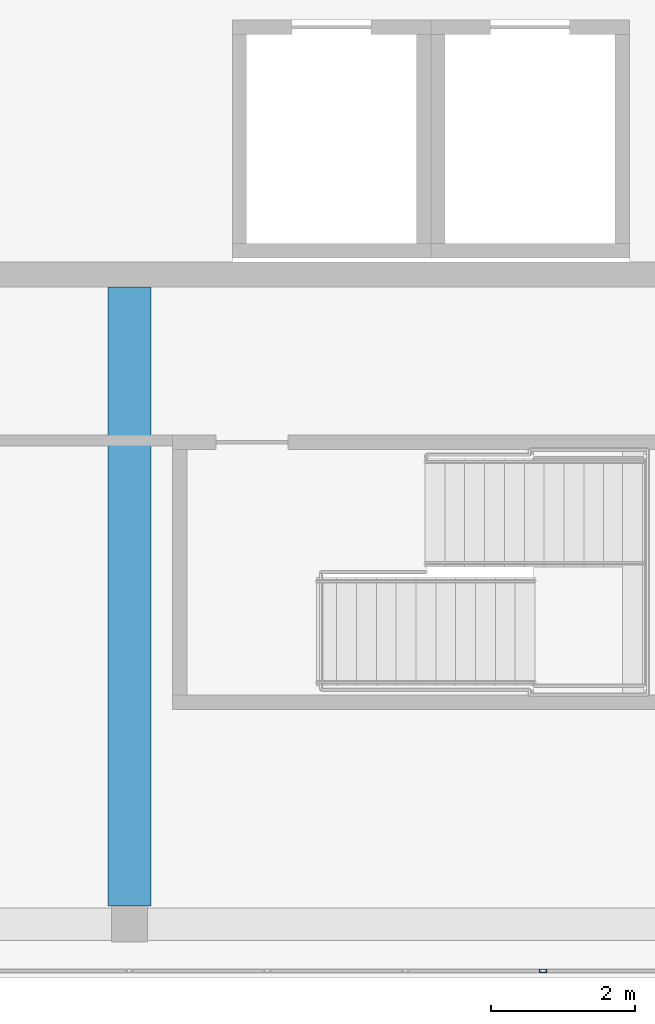
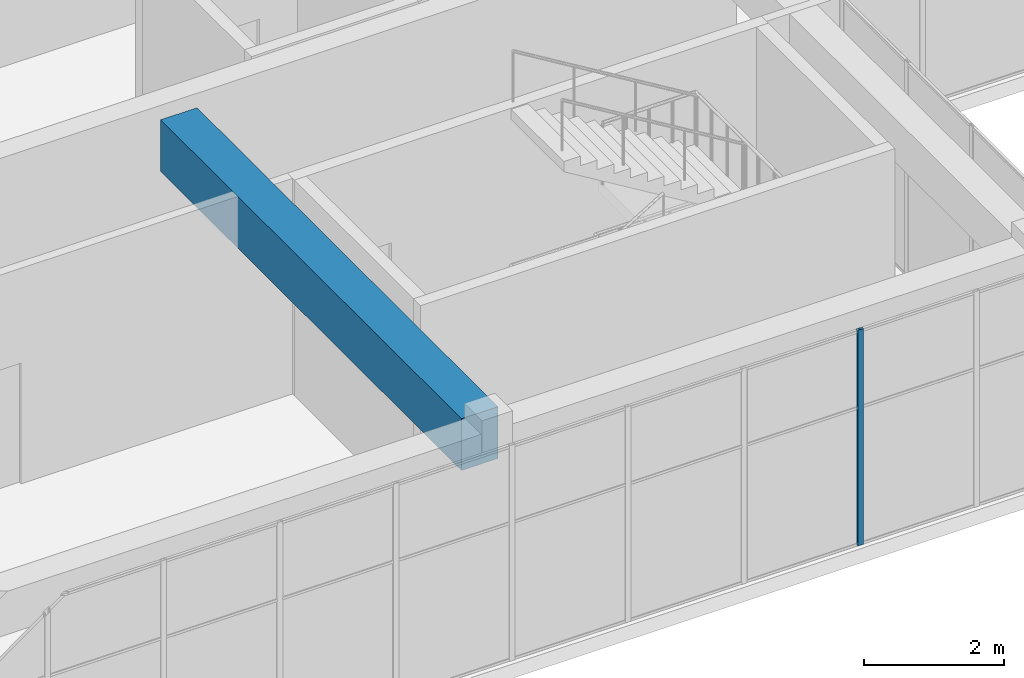
# One storey, part 8 of 34: 1 beam, 1 member, 1 element without a shape of its own.
"""IFC4 building model written with IfcOpenShell, lengths in metres."""

from ifc_helpers import new_model, si_unit, direction, frame, origin, origin_2d, place, context, subcontext, project, spatial, rectangle, hollow_rectangle, extrude, material, layer, layer_set, material_profile, profile_set, type_object, element, aggregate, save


model = new_model("IFC4")

# Units and contexts
model_context = context("Model", 3, precision=1e-05, world=origin(), true_north=direction((0.0, 1.0)))
body_context = subcontext(model_context, "Body", "Model", "MODEL_VIEW")
ifc_project = project(units=[si_unit("LENGTHUNIT", "METRE"), si_unit("AREAUNIT", "SQUARE_METRE"), si_unit("VOLUMEUNIT", "CUBIC_METRE"), si_unit("PLANEANGLEUNIT", "RADIAN"), si_unit("MASSUNIT", "GRAM", prefix="KILO")], contexts=[model_context])

# Site, building, storey
site_placement = place(None, origin())
site = spatial("IfcSite", under=ifc_project, at=site_placement, CompositionType="ELEMENT")
building_placement = place(site_placement, origin())
building = spatial("IfcBuilding", under=site, at=building_placement, Name="Tuart Plaza Theatre", CompositionType="ELEMENT")
storey_placement = place(building_placement, frame((0.0, 0.0, 57.5)))
storey = spatial("IfcBuildingStorey", under=building, at=storey_placement, Name="L14", CompositionType="ELEMENT", Elevation=57.5)

# Beam
ifc_material_1 = material(Name="Concrete N40 (40 MPa)", Category="concrete")
ifc_material_profile_1 = material_profile(ifc_material_1, rectangle(XDim=0.60009765625, YDim=0.89990234375, at=origin_2d()), Name="BEAM 600x900 Concrete N40 (40 MPa)")
ifc_profile_set_1 = profile_set([ifc_material_profile_1], Name="Concrete N40 (40 MPa)")
beam_type = type_object("IfcBeamType", Name="BEAM 600x900 Concrete N40 (40 MPa)", PredefinedType="BEAM", material=ifc_profile_set_1)
beam_placement = place(storey_placement, frame((132.0, 56.25, 3.300048828125), z_axis=(0.0, 1.0, 0.0), x_axis=(-1.0, 0.0, 0.0)))
element("IfcBeam", 1, at=beam_placement, inside=storey, type_object=beam_type, Name="RB333", PredefinedType="BEAM", context=body_context, shape_type="SweptSolid", body=[
    extrude(rectangle(XDim=0.60009765625, YDim=0.89990234375, at=origin_2d()), origin(), (0.0, 0.0, 1.0), 8.574951171875),
])

# Curtain wall, member
ifc_material_2 = material(Name="Aluminium and glass", Category="aluminium")
ifc_layer = layer(ifc_material_2, 0.10009765625)
ifc_layer_set = layer_set([ifc_layer], Name="CURTAIN WALL 2000 module")
curtain_wall_type = type_object("IfcCurtainWallType", Name="CURTAIN WALL 2000 module", PredefinedType="NOTDEFINED", material=ifc_layer_set)
curtain_wall_placement = place(storey_placement, origin())
curtain_wall = element("IfcCurtainWall", 2, at=curtain_wall_placement, inside=storey, type_object=curtain_wall_type, Name="CW122", PredefinedType="NOTDEFINED")
ifc_material_3 = material(Name="Aluminium 6063-T5", Category="aluminium")
ifc_material_profile_2 = material_profile(ifc_material_3, hollow_rectangle(XDim=0.050048828125, YDim=0.10009765625, WallThickness=0.00390625, InnerFilletRadius=0.00390625, OuterFilletRadius=0.008056640625, at=origin_2d()), Name="RHS 100x50x4")
ifc_profile_set_2 = profile_set([ifc_material_profile_2], Name="Aluminium 6063-T5")
member_type = type_object("IfcMemberType", Name="MULLION RHS 100x50x4", PredefinedType="MULLION", material=ifc_profile_set_2)
member_placement = place(storey_placement, frame((137.72998046875, 55.35009765625, 0.0), z_axis=(0.0, 0.0, 1.0), x_axis=(0.0, 1.0, 0.0)))
member = element("IfcMember", 3, at=member_placement, type_object=member_type, Name="CW122 mullion 9", PredefinedType="MULLION", context=body_context, shape_type="SweptSolid", body=[
    extrude(hollow_rectangle(XDim=0.050048828125, YDim=0.10009765625, WallThickness=0.00390625, InnerFilletRadius=0.00390625, OuterFilletRadius=0.008056640625, at=origin_2d()), origin(), (0.0, 0.0, 1.0), 3.75),
])
aggregate(curtain_wall, [member])

save(model, "model.ifc")
